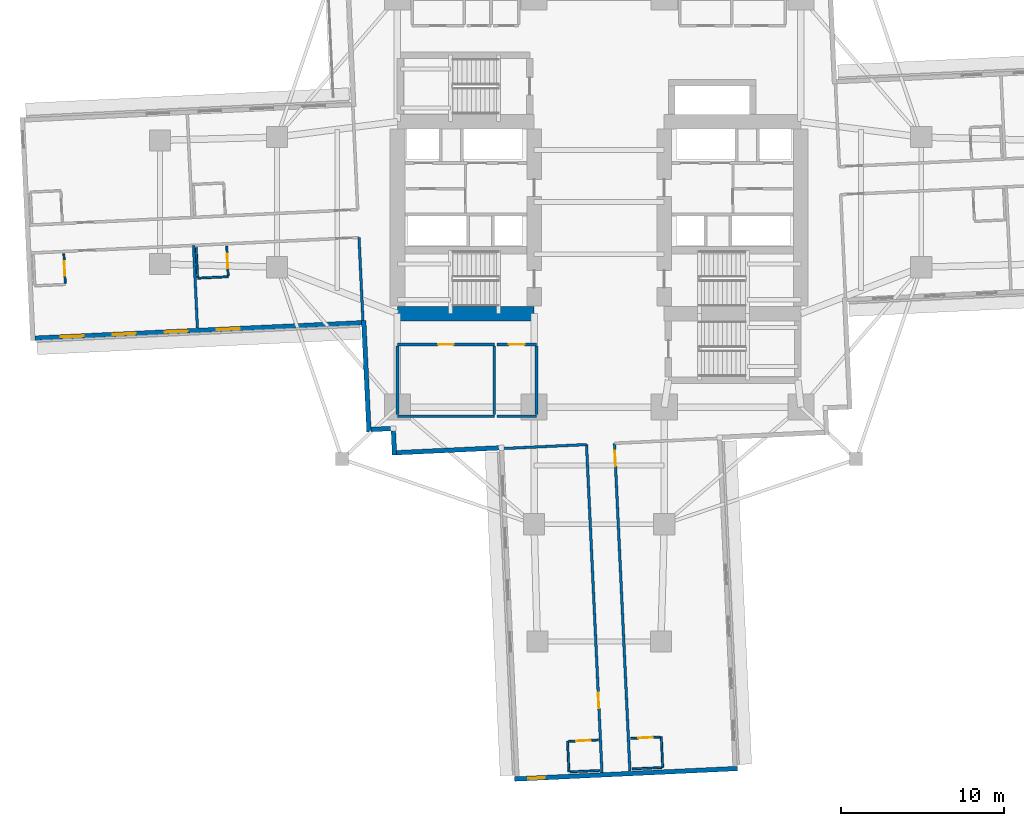
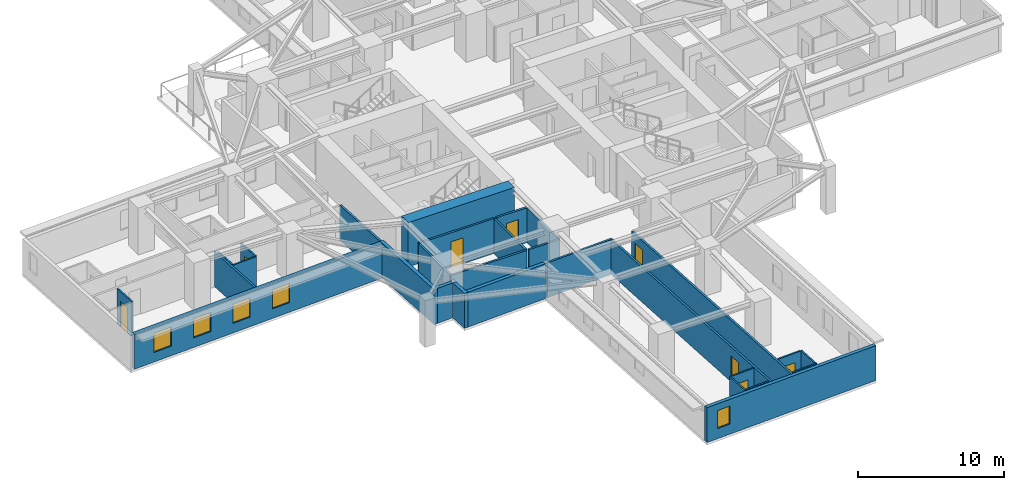
# One storey, part 3 of 14: 29 walls, 8 doors, 5 windows, 13 openings.
"""IFC4 building model written with IfcOpenShell, lengths in metres."""

from ifc_helpers import new_model, si_unit, direction, frame, frame_2d, origin, place, context, subcontext, project, spatial, rectangle, extrude, material, layer, layer_set, type_object, element, fill, save


model = new_model("IFC4")

# Units and contexts
model_context = context("Model", 3, precision=1e-05, world=origin(), true_north=direction((0.0, 1.0)))
body_context = subcontext(model_context, "Body", "Model", "MODEL_VIEW")
ifc_project = project(units=[si_unit("LENGTHUNIT", "METRE"), si_unit("AREAUNIT", "SQUARE_METRE"), si_unit("VOLUMEUNIT", "CUBIC_METRE"), si_unit("PLANEANGLEUNIT", "RADIAN"), si_unit("MASSUNIT", "GRAM", prefix="KILO")], contexts=[model_context])

# Site, building, storey
site_placement = place(None, origin())
site = spatial("IfcSite", under=ifc_project, at=site_placement, CompositionType="ELEMENT")
building_placement = place(site_placement, origin())
building = spatial("IfcBuilding", under=site, at=building_placement, Name="Qingluan Cross Belvedere", CompositionType="ELEMENT")
storey_placement = place(building_placement, frame((0.0, 0.0, 35.39990234375)))
storey = spatial("IfcBuildingStorey", under=building, at=storey_placement, Name="L09", CompositionType="ELEMENT", Elevation=35.39990234375)

# Walls
ifc_material_1 = material(Name="Concrete C70", Category="concrete")
ifc_layer_1 = layer(ifc_material_1, 0.89990234375, Name="CoreShearWall_900")
ifc_layer_set_1 = layer_set([ifc_layer_1], Name="Concrete C70")
wall_type_1 = type_object("IfcWallType", Name="CoreShearWall_900", PredefinedType="SHEAR", material=ifc_layer_set_1)
wall_1_placement = place(storey_placement, frame((-12.39990234375, -6.85009765625, 0.0), z_axis=(0.0, 0.0, 1.0), x_axis=(1.0, 0.0, 0.0)))
element("IfcWall", 1, at=wall_1_placement, inside=storey, type_object=wall_type_1, Name="Split core W shear wall L09-S", PredefinedType="SHEAR", context=body_context, shape_type="SweptSolid", body=[
    extrude(rectangle(XDim=8.39990234375, YDim=0.89990234375, at=frame_2d((4.199951171875, 0.0))), origin(), (0.0, 0.0, 1.0), 3.7001953125),
])
ifc_material_2 = material(Name="Gypsum plasterboard on steel stud acoustic partition", Category="steel")
ifc_layer_2 = layer(ifc_material_2, 0.159912109375, Name="CorridorPartition_160")
ifc_layer_set_2 = layer_set([ifc_layer_2], Name="Gypsum plasterboard on steel stud acoustic partition")
wall_type_2 = type_object("IfcWallType", Name="CorridorPartition_160", PredefinedType="PARTITIONING", material=ifc_layer_set_2)
wall_2_placement = place(storey_placement, frame((-12.39990234375, -13.14990234375, 0.0), z_axis=(0.0, 0.0, 1.0), x_axis=(1.0, 0.0, 0.0)))
element("IfcWall", 2, at=wall_2_placement, inside=storey, type_object=wall_type_2, Name="Partition L09:q_sw1:S", PredefinedType="PARTITIONING", context=body_context, shape_type="SweptSolid", body=[
    extrude(rectangle(XDim=5.949951171875, YDim=0.159912109375, at=frame_2d((2.97509765625, 0.0))), origin(), (0.0, 0.0, 1.0), 2.900146484375),
])

# Wall, opening, door
wall_3_placement = place(storey_placement, frame((-12.39990234375, -8.75, 0.0), z_axis=(0.0, 0.0, 1.0), x_axis=(1.0, 0.0, 0.0)))
wall_3 = element("IfcWall", 3, at=wall_3_placement, inside=storey, type_object=wall_type_2, Name="Partition L09:q_sw1:N", PredefinedType="PARTITIONING", context=body_context, shape_type="SweptSolid", body=[
    extrude(rectangle(XDim=5.949951171875, YDim=0.159912109375, at=frame_2d((2.97509765625, 0.0))), origin(), (0.0, 0.0, 1.0), 2.900146484375),
])
opening_1_placement = place(wall_3_placement, frame((2.4951171875, 0.0, 0.0)))
opening_1 = element("IfcOpeningElement", 4, at=opening_1_placement, cuts=wall_3, Name="Opening GD-10", PredefinedType="OPENING", context=body_context, shape_type="SweptSolid", body=[
    extrude(rectangle(XDim=0.9599609375, YDim=2.14990234375, at=frame_2d((0.47998046875, 1.074951171875))), frame((0.0, 0.08984375, 0.0), z_axis=(0.0, -1.0, 0.0), x_axis=(1.0, 0.0, 0.0)), (0.0, 0.0, 1.0), 0.179931640625),
])
ifc_material_3 = material(Name="Timber oak fire-rated acoustic guestroom door", Category="wood")
door_type_1 = type_object("IfcDoorType", Name="GuestEntryDoor_FD60", OperationType="NOTDEFINED", PredefinedType="DOOR", material=ifc_material_3)
door_1_placement = place(opening_1_placement, origin())
door_1 = element("IfcDoor", 5, at=door_1_placement, inside=storey, type_object=door_type_1, Name="Private boardroom suite L09 door", OperationType="SINGLE_SWING_LEFT", OverallHeight=2.14990234375, OverallWidth=0.9599609375, PredefinedType="DOOR", context=body_context, shape_type="SweptSolid", body=[
    extrude(rectangle(XDim=0.9599609375, YDim=2.14990234375, at=frame_2d((0.47998046875, 1.074951171875))), frame((0.0, 0.02490234375, 0.0), z_axis=(0.0, -1.0, 0.0), x_axis=(1.0, 0.0, 0.0)), (0.0, 0.0, 1.0), 0.050048828125),
])
fill(opening_1, door_1)

# Walls
for number, where, z_axis, x_axis, name in (
    (6, (-12.39990234375, -13.06494140625, 0.0), (0.0, 0.0, 1.0), (0.0, 1.0, 0.0), "Partition L09:q_sw1:W"),
    (7, (-6.449951171875, -13.06494140625, 0.0), (0.0, 0.0, 1.0), (0.0, 1.0, 0.0), "Partition L09:q_sw1:E"),
):
    element("IfcWall", number, at=place(storey_placement, frame(where, z_axis=z_axis, x_axis=x_axis)), inside=storey, type_object=wall_type_2, Name=name, PredefinedType="PARTITIONING", context=body_context, shape_type="SweptSolid", body=[
        extrude(rectangle(XDim=4.22998046875, YDim=0.159912109375, at=frame_2d((2.114990234375, 0.0))), origin(), (0.0, 0.0, 1.0), 2.900146484375),
    ])
wall_4_placement = place(storey_placement, frame((-6.2900390625, -13.14990234375, 0.0), z_axis=(0.0, 0.0, 1.0), x_axis=(1.0, 0.0, 0.0)))
element("IfcWall", 8, at=wall_4_placement, inside=storey, type_object=wall_type_2, Name="Partition L09:q_sw2:S", PredefinedType="PARTITIONING", context=body_context, shape_type="SweptSolid", body=[
    extrude(rectangle(XDim=2.43994140625, YDim=0.159912109375, at=frame_2d((1.219970703125, 0.0))), origin(), (0.0, 0.0, 1.0), 2.900146484375),
])

# Wall, opening, door
wall_5_placement = place(storey_placement, frame((-6.2900390625, -8.75, 0.0), z_axis=(0.0, 0.0, 1.0), x_axis=(1.0, 0.0, 0.0)))
wall_5 = element("IfcWall", 9, at=wall_5_placement, inside=storey, type_object=wall_type_2, Name="Partition L09:q_sw2:N", PredefinedType="PARTITIONING", context=body_context, shape_type="SweptSolid", body=[
    extrude(rectangle(XDim=2.43994140625, YDim=0.159912109375, at=frame_2d((1.219970703125, 0.0))), origin(), (0.0, 0.0, 1.0), 2.900146484375),
])
opening_2_placement = place(wall_5_placement, frame((0.739990234375, 0.0, 0.0)))
opening_2 = element("IfcOpeningElement", 10, at=opening_2_placement, cuts=wall_5, Name="Opening GD-10", PredefinedType="OPENING", context=body_context, shape_type="SweptSolid", body=[
    extrude(rectangle(XDim=0.9599609375, YDim=2.14990234375, at=frame_2d((0.47998046875, 1.074951171875))), frame((0.0, 0.08984375, 0.0), z_axis=(0.0, -1.0, 0.0), x_axis=(1.0, 0.0, 0.0)), (0.0, 0.0, 1.0), 0.179931640625),
])
door_2_placement = place(opening_2_placement, origin())
door_2 = element("IfcDoor", 11, at=door_2_placement, inside=storey, type_object=door_type_1, Name="Southwest reading room L09 door", OperationType="SINGLE_SWING_RIGHT", OverallHeight=2.14990234375, OverallWidth=0.9599609375, PredefinedType="DOOR", context=body_context, shape_type="SweptSolid", body=[
    extrude(rectangle(XDim=0.9599609375, YDim=2.14990234375, at=frame_2d((0.47998046875, 1.074951171875))), frame((0.0, 0.02490234375, 0.0), z_axis=(0.0, -1.0, 0.0), x_axis=(1.0, 0.0, 0.0)), (0.0, 0.0, 1.0), 0.050048828125),
])
fill(opening_2, door_2)

# Walls
wall_6_placement = place(storey_placement, frame((-3.85009765625, -13.06494140625, 0.0), z_axis=(0.0, 0.0, 1.0), x_axis=(0.0, 1.0, 0.0)))
element("IfcWall", 12, at=wall_6_placement, inside=storey, type_object=wall_type_2, Name="Partition L09:q_sw2:E", PredefinedType="PARTITIONING", context=body_context, shape_type="SweptSolid", body=[
    extrude(rectangle(XDim=4.22998046875, YDim=0.159912109375, at=frame_2d((2.114990234375, 0.0))), origin(), (0.0, 0.0, 1.0), 2.900146484375),
])
wall_7_placement = place(storey_placement, frame((-14.763916015625, -2.177978515625, 0.0), z_axis=(0.0, 0.0, 1.0), x_axis=(0.047130059153, -0.998888761336, 0.0)))
element("IfcWall", 13, at=wall_7_placement, inside=storey, type_object=wall_type_2, Name="Partition L09:W:s1", PredefinedType="PARTITIONING", context=body_context, shape_type="SweptSolid", body=[
    extrude(rectangle(XDim=5.092041015625, YDim=0.159912109375, at=frame_2d((2.5458984375, 0.0))), origin(), (0.0, 0.0, 1.0), 2.900146484375),
])
wall_8_placement = place(storey_placement, frame((-24.9375, -2.65771484375, 0.0), z_axis=(0.0, 0.0, 1.0), x_axis=(0.047084475335, -0.998890911052, 0.0)))
element("IfcWall", 14, at=wall_8_placement, inside=storey, type_object=wall_type_2, Name="Partition L09:W:d1_0", PredefinedType="PARTITIONING", context=body_context, shape_type="SweptSolid", body=[
    extrude(rectangle(XDim=5.091796875, YDim=0.159912109375, at=frame_2d((2.5458984375, 0.0))), origin(), (0.0, 0.0, 1.0), 2.900146484375),
])

# Wall, opening, door
wall_9_placement = place(storey_placement, frame((0.939208984375, -14.822265625, 0.0), z_axis=(0.0, 0.0, 1.0), x_axis=(0.047105921672, -0.998889899911, 0.0)))
wall_9 = element("IfcWall", 15, at=wall_9_placement, inside=storey, type_object=wall_type_2, Name="Partition L09:S:c0", PredefinedType="PARTITIONING", context=body_context, shape_type="SweptSolid", body=[
    extrude(rectangle(XDim=20.181884765625, YDim=0.159912109375, at=frame_2d((10.0908203125, 0.0))), origin(), (0.0, 0.0, 1.0), 2.900146484375),
])
opening_3_placement = place(wall_9_placement, frame((0.449951171875, 0.0, 0.0)))
opening_3 = element("IfcOpeningElement", 16, at=opening_3_placement, cuts=wall_9, Name="Opening GD-10", PredefinedType="OPENING", context=body_context, shape_type="SweptSolid", body=[
    extrude(rectangle(XDim=0.9599609375, YDim=2.14990234375, at=frame_2d((0.47998046875, 1.074951171875))), frame((0.0, 0.08984375, 0.0), z_axis=(0.0, -1.0, 0.0), x_axis=(1.0, 0.0, 0.0)), (0.0, 0.0, 1.0), 0.179931640625),
])
door_3_placement = place(opening_3_placement, origin())
door_3 = element("IfcDoor", 17, at=door_3_placement, inside=storey, type_object=door_type_1, Name="Guest entry fire door 0913", OperationType="SINGLE_SWING_LEFT", OverallHeight=2.14990234375, OverallWidth=0.9599609375, PredefinedType="DOOR", context=body_context, shape_type="SweptSolid", body=[
    extrude(rectangle(XDim=0.9599609375, YDim=2.14990234375, at=frame_2d((0.47998046875, 1.074951171875))), frame((0.0, 0.02490234375, 0.0), z_axis=(0.0, -1.0, 0.0), x_axis=(1.0, 0.0, 0.0)), (0.0, 0.0, 1.0), 0.050048828125),
])
fill(opening_3, door_3)

wall_10_placement = place(storey_placement, frame((-0.77880859375, -14.9033203125, 0.0), z_axis=(0.0, 0.0, 1.0), x_axis=(0.047105921672, -0.998889899911, 0.0)))
wall_10 = element("IfcWall", 18, at=wall_10_placement, inside=storey, type_object=wall_type_2, Name="Partition L09:S:c1", PredefinedType="PARTITIONING", context=body_context, shape_type="SweptSolid", body=[
    extrude(rectangle(XDim=20.181884765625, YDim=0.159912109375, at=frame_2d((10.0908203125, 0.0))), origin(), (0.0, 0.0, 1.0), 2.900146484375),
])
opening_4_placement = place(wall_10_placement, frame((15.263916015625, 0.0, 0.0)))
opening_4 = element("IfcOpeningElement", 19, at=opening_4_placement, cuts=wall_10, Name="Opening GD-10", PredefinedType="OPENING", context=body_context, shape_type="SweptSolid", body=[
    extrude(rectangle(XDim=0.9599609375, YDim=2.14990234375, at=frame_2d((0.47998046875, 1.074951171875))), frame((0.0, 0.08984375, 0.0), z_axis=(0.0, -1.0, 0.0), x_axis=(1.0, 0.0, 0.0)), (0.0, 0.0, 1.0), 0.179931640625),
])
door_4_placement = place(opening_4_placement, origin())
door_4 = element("IfcDoor", 20, at=door_4_placement, inside=storey, type_object=door_type_1, Name="Guest entry fire door 0914", OperationType="SINGLE_SWING_LEFT", OverallHeight=2.14990234375, OverallWidth=0.9599609375, PredefinedType="DOOR", context=body_context, shape_type="SweptSolid", body=[
    extrude(rectangle(XDim=0.9599609375, YDim=2.14990234375, at=frame_2d((0.47998046875, 1.074951171875))), frame((0.0, 0.02490234375, 0.0), z_axis=(0.0, -1.0, 0.0), x_axis=(1.0, 0.0, 0.0)), (0.0, 0.0, 1.0), 0.050048828125),
])
fill(opening_4, door_4)

# Wall
wall_11_placement = place(storey_placement, frame((-0.77880859375, -14.9033203125, 0.0), z_axis=(0.0, 0.0, 1.0), x_axis=(-0.998889957338, -0.047104703898, 0.0)))
element("IfcWall", 21, at=wall_11_placement, inside=storey, type_object=wall_type_2, Name="Partition L09:S:s1", PredefinedType="PARTITIONING", context=body_context, shape_type="SweptSolid", body=[
    extrude(rectangle(XDim=5.239990234375, YDim=0.159912109375, at=frame_2d((2.6201171875, 0.0))), origin(), (0.0, 0.0, 1.0), 2.900146484375),
])

# Wall, opening, door
ifc_material_4 = material(Name="Moisture-resistant gypsum board lining")
ifc_layer_3 = layer(ifc_material_4, 0.1201171875, Name="EnsuiteWetPartition_120")
ifc_layer_set_3 = layer_set([ifc_layer_3], Name="Moisture-resistant gypsum board lining")
wall_type_3 = type_object("IfcWallType", Name="EnsuiteWetPartition_120", PredefinedType="PARTITIONING", material=ifc_layer_set_3)
wall_12_placement = place(storey_placement, frame((-22.807373046875, -4.519287109375, 0.0), z_axis=(0.0, 0.0, 1.0), x_axis=(-0.047220968666, 0.998884467853, 0.0)))
wall_12 = element("IfcWall", 22, at=wall_12_placement, inside=storey, type_object=wall_type_3, Name="Partition L09:W:bs1_0", PredefinedType="PARTITIONING", context=body_context, shape_type="SweptSolid", body=[
    extrude(rectangle(XDim=1.81982421875, YDim=0.1201171875, at=frame_2d((0.909912109375, 0.0))), origin(), (0.0, 0.0, 1.0), 2.900146484375),
])
opening_5_placement = place(wall_12_placement, frame((0.469970703125, 0.0, 0.0)))
opening_5 = element("IfcOpeningElement", 23, at=opening_5_placement, cuts=wall_12, Name="Opening BD-09", PredefinedType="OPENING", context=body_context, shape_type="SweptSolid", body=[
    extrude(rectangle(XDim=0.8798828125, YDim=2.10009765625, at=frame_2d((0.43994140625, 1.050048828125))), frame((0.0, 0.070068359375, 0.0), z_axis=(0.0, -1.0, 0.0), x_axis=(1.0, 0.0, 0.0)), (0.0, 0.0, 1.0), 0.14013671875),
])
ifc_material_5 = material(Name="Moisture-sealed timber en-suite door", Category="wood")
door_type_2 = type_object("IfcDoorType", Name="BathroomDoor_880", OperationType="NOTDEFINED", PredefinedType="DOOR", material=ifc_material_5)
door_5_placement = place(opening_5_placement, origin())
door_5 = element("IfcDoor", 24, at=door_5_placement, inside=storey, type_object=door_type_2, Name="Bathroom door 0907", OperationType="SINGLE_SWING_RIGHT", OverallHeight=2.10009765625, OverallWidth=0.8798828125, PredefinedType="DOOR", context=body_context, shape_type="SweptSolid", body=[
    extrude(rectangle(XDim=0.8798828125, YDim=2.10009765625, at=frame_2d((0.43994140625, 1.050048828125))), frame((0.0, 0.02490234375, 0.0), z_axis=(0.0, -1.0, 0.0), x_axis=(1.0, 0.0, 0.0)), (0.0, 0.0, 1.0), 0.050048828125),
])
fill(opening_5, door_5)

# Walls
wall_13_placement = place(storey_placement, frame((-24.685302734375, -4.60791015625, 0.0), z_axis=(0.0, 0.0, 1.0), x_axis=(-0.047087116047, 0.998890786574, 0.0)))
element("IfcWall", 25, at=wall_13_placement, inside=storey, type_object=wall_type_3, Name="Partition L09:W:bw1_0", PredefinedType="PARTITIONING", context=body_context, shape_type="SweptSolid", body=[
    extrude(rectangle(XDim=1.81982421875, YDim=0.1201171875, at=frame_2d((0.909912109375, 0.0))), origin(), (0.0, 0.0, 1.0), 2.900146484375),
])
wall_14_placement = place(storey_placement, frame((-22.804443359375, -4.584228515625, 0.0), z_axis=(0.0, 0.0, 1.0), x_axis=(-0.998888319371, -0.047139425368, 0.0)))
element("IfcWall", 26, at=wall_14_placement, inside=storey, type_object=wall_type_3, Name="Partition L09:W:bc1_0", PredefinedType="PARTITIONING", context=body_context, shape_type="SweptSolid", body=[
    extrude(rectangle(XDim=1.880126953125, YDim=0.1201171875, at=frame_2d((0.93994140625, 0.0))), origin(), (0.0, 0.0, 1.0), 2.900146484375),
])

# Wall, opening, door
wall_15_placement = place(storey_placement, frame((-32.8212890625, -4.99169921875, 0.0), z_axis=(0.0, 0.0, 1.0), x_axis=(-0.047080807099, 0.998891083954, 0.0)))
wall_15 = element("IfcWall", 27, at=wall_15_placement, inside=storey, type_object=wall_type_3, Name="Partition L09:W:bs1_1", PredefinedType="PARTITIONING", context=body_context, shape_type="SweptSolid", body=[
    extrude(rectangle(XDim=1.820068359375, YDim=0.1201171875, at=frame_2d((0.91015625, 0.0))), origin(), (0.0, 0.0, 1.0), 2.900146484375),
])
opening_6_placement = place(wall_15_placement, frame((0.469970703125, 0.0, 0.0)))
opening_6 = element("IfcOpeningElement", 28, at=opening_6_placement, cuts=wall_15, Name="Opening BD-09", PredefinedType="OPENING", context=body_context, shape_type="SweptSolid", body=[
    extrude(rectangle(XDim=0.8798828125, YDim=2.10009765625, at=frame_2d((0.43994140625, 1.050048828125))), frame((0.0, 0.070068359375, 0.0), z_axis=(0.0, -1.0, 0.0), x_axis=(1.0, 0.0, 0.0)), (0.0, 0.0, 1.0), 0.14013671875),
])
door_6_placement = place(opening_6_placement, origin())
door_6 = element("IfcDoor", 29, at=door_6_placement, inside=storey, type_object=door_type_2, Name="Bathroom door 0908", OperationType="SINGLE_SWING_RIGHT", OverallHeight=2.10009765625, OverallWidth=0.8798828125, PredefinedType="DOOR", context=body_context, shape_type="SweptSolid", body=[
    extrude(rectangle(XDim=0.8798828125, YDim=2.10009765625, at=frame_2d((0.43994140625, 1.050048828125))), frame((0.0, 0.02490234375, 0.0), z_axis=(0.0, -1.0, 0.0), x_axis=(1.0, 0.0, 0.0)), (0.0, 0.0, 1.0), 0.050048828125),
])
fill(opening_6, door_6)

wall_16_placement = place(storey_placement, frame((1.93505859375, -32.96533203125, 0.0), z_axis=(0.0, 0.0, 1.0), x_axis=(0.998890786574, 0.047087116047, 0.0)))
wall_16 = element("IfcWall", 30, at=wall_16_placement, inside=storey, type_object=wall_type_3, Name="Partition L09:S:bs0_0", PredefinedType="PARTITIONING", context=body_context, shape_type="SweptSolid", body=[
    extrude(rectangle(XDim=1.81982421875, YDim=0.1201171875, at=frame_2d((0.909912109375, 0.0))), origin(), (0.0, 0.0, 1.0), 2.900146484375),
])
opening_7_placement = place(wall_16_placement, frame((0.469970703125, 0.0, 0.0)))
opening_7 = element("IfcOpeningElement", 31, at=opening_7_placement, cuts=wall_16, Name="Opening BD-09", PredefinedType="OPENING", context=body_context, shape_type="SweptSolid", body=[
    extrude(rectangle(XDim=0.8798828125, YDim=2.10009765625, at=frame_2d((0.43994140625, 1.050048828125))), frame((0.0, 0.070068359375, 0.0), z_axis=(0.0, -1.0, 0.0), x_axis=(1.0, 0.0, 0.0)), (0.0, 0.0, 1.0), 0.14013671875),
])
door_7_placement = place(opening_7_placement, origin())
door_7 = element("IfcDoor", 32, at=door_7_placement, inside=storey, type_object=door_type_2, Name="Bathroom door 0913", OperationType="SINGLE_SWING_RIGHT", OverallHeight=2.10009765625, OverallWidth=0.8798828125, PredefinedType="DOOR", context=body_context, shape_type="SweptSolid", body=[
    extrude(rectangle(XDim=0.8798828125, YDim=2.10009765625, at=frame_2d((0.43994140625, 1.050048828125))), frame((0.0, 0.02490234375, 0.0), z_axis=(0.0, -1.0, 0.0), x_axis=(1.0, 0.0, 0.0)), (0.0, 0.0, 1.0), 0.050048828125),
])
fill(opening_7, door_7)

# Walls
wall_17_placement = place(storey_placement, frame((2.023681640625, -34.843505859375, 0.0), z_axis=(0.0, 0.0, 1.0), x_axis=(0.998884467853, 0.047220968666, 0.0)))
element("IfcWall", 33, at=wall_17_placement, inside=storey, type_object=wall_type_3, Name="Partition L09:S:bw0_0", PredefinedType="PARTITIONING", context=body_context, shape_type="SweptSolid", body=[
    extrude(rectangle(XDim=1.81982421875, YDim=0.1201171875, at=frame_2d((0.909912109375, 0.0))), origin(), (0.0, 0.0, 1.0), 2.900146484375),
])
wall_18_placement = place(storey_placement, frame((3.81787109375, -32.876708984375, 0.0), z_axis=(0.0, 0.0, 1.0), x_axis=(0.047139425368, -0.998888319371, 0.0)))
element("IfcWall", 34, at=wall_18_placement, inside=storey, type_object=wall_type_3, Name="Partition L09:S:bn0_0", PredefinedType="PARTITIONING", context=body_context, shape_type="SweptSolid", body=[
    extrude(rectangle(XDim=1.880126953125, YDim=0.1201171875, at=frame_2d((0.93994140625, 0.0))), origin(), (0.0, 0.0, 1.0), 2.900146484375),
])

# Wall, opening, door
wall_19_placement = place(storey_placement, frame((-1.880615234375, -33.1455078125, 0.0), z_axis=(0.0, 0.0, 1.0), x_axis=(0.998890786574, 0.047087116047, 0.0)))
wall_19 = element("IfcWall", 35, at=wall_19_placement, inside=storey, type_object=wall_type_3, Name="Partition L09:S:bs1_0", PredefinedType="PARTITIONING", context=body_context, shape_type="SweptSolid", body=[
    extrude(rectangle(XDim=1.81982421875, YDim=0.1201171875, at=frame_2d((0.909912109375, 0.0))), origin(), (0.0, 0.0, 1.0), 2.900146484375),
])
opening_8_placement = place(wall_19_placement, frame((0.469970703125, 0.0, 0.0)))
opening_8 = element("IfcOpeningElement", 36, at=opening_8_placement, cuts=wall_19, Name="Opening BD-09", PredefinedType="OPENING", context=body_context, shape_type="SweptSolid", body=[
    extrude(rectangle(XDim=0.8798828125, YDim=2.10009765625, at=frame_2d((0.43994140625, 1.050048828125))), frame((0.0, 0.070068359375, 0.0), z_axis=(0.0, -1.0, 0.0), x_axis=(1.0, 0.0, 0.0)), (0.0, 0.0, 1.0), 0.14013671875),
])
door_8_placement = place(opening_8_placement, origin())
door_8 = element("IfcDoor", 37, at=door_8_placement, inside=storey, type_object=door_type_2, Name="Bathroom door 0914", OperationType="SINGLE_SWING_RIGHT", OverallHeight=2.10009765625, OverallWidth=0.8798828125, PredefinedType="DOOR", context=body_context, shape_type="SweptSolid", body=[
    extrude(rectangle(XDim=0.8798828125, YDim=2.10009765625, at=frame_2d((0.43994140625, 1.050048828125))), frame((0.0, 0.02490234375, 0.0), z_axis=(0.0, -1.0, 0.0), x_axis=(1.0, 0.0, 0.0)), (0.0, 0.0, 1.0), 0.050048828125),
])
fill(opening_8, door_8)

# Walls
wall_20_placement = place(storey_placement, frame((-1.792236328125, -35.023193359375, 0.0), z_axis=(0.0, 0.0, 1.0), x_axis=(0.998891083954, 0.047080807099, 0.0)))
element("IfcWall", 38, at=wall_20_placement, inside=storey, type_object=wall_type_3, Name="Partition L09:S:bw1_0", PredefinedType="PARTITIONING", context=body_context, shape_type="SweptSolid", body=[
    extrude(rectangle(XDim=1.820068359375, YDim=0.1201171875, at=frame_2d((0.91015625, 0.0))), origin(), (0.0, 0.0, 1.0), 2.900146484375),
])
wall_21_placement = place(storey_placement, frame((-1.94580078125, -33.1484375, 0.0), z_axis=(0.0, 0.0, 1.0), x_axis=(0.047139425368, -0.998888319371, 0.0)))
element("IfcWall", 39, at=wall_21_placement, inside=storey, type_object=wall_type_3, Name="Partition L09:S:bc1_0", PredefinedType="PARTITIONING", context=body_context, shape_type="SweptSolid", body=[
    extrude(rectangle(XDim=1.880126953125, YDim=0.1201171875, at=frame_2d((0.93994140625, 0.0))), origin(), (0.0, 0.0, 1.0), 2.900146484375),
])

# Wall, openings, windows
ifc_material_6 = material(Name="Precast concrete C45", Category="concrete")
ifc_layer_4 = layer(ifc_material_6, 0.280029296875, Name="PrecastFacadeWall_280")
ifc_layer_set_4 = layer_set([ifc_layer_4], Name="Precast concrete C45")
wall_type_4 = type_object("IfcWallType", Name="PrecastFacadeWall_280", PredefinedType="STANDARD", material=ifc_layer_set_4)
wall_22_placement = place(storey_placement, frame((-34.6845703125, -8.363037109375, 0.0), z_axis=(0.0, 0.0, 1.0), x_axis=(0.998890015344, 0.047103473814, 0.0)))
wall_22 = element("IfcWall", 40, at=wall_22_placement, inside=storey, type_object=wall_type_4, Name="Facade wall L09-WB", PredefinedType="STANDARD", context=body_context, shape_type="SweptSolid", body=[
    extrude(rectangle(XDim=20.099853515625, YDim=0.280029296875, at=frame_2d((10.0498046875, 0.0))), origin(), (0.0, 0.0, 1.0), 2.91015625),
])
opening_9_placement = place(wall_22_placement, frame((1.60009765625, 0.0, 0.800048828125)))
opening_9 = element("IfcOpeningElement", 41, at=opening_9_placement, cuts=wall_22, Name="Opening W-01", PredefinedType="OPENING", context=body_context, shape_type="SweptSolid", body=[
    extrude(rectangle(XDim=1.39990234375, YDim=1.60009765625, at=frame_2d((0.699951171875, 0.800048828125))), frame((0.0, 0.14990234375, 0.0), z_axis=(0.0, -1.0, 0.0), x_axis=(1.0, 0.0, 0.0)), (0.0, 0.0, 1.0), 0.300048828125),
])
opening_10_placement = place(wall_22_placement, frame((4.800048828125, 0.0, 0.800048828125)))
opening_10 = element("IfcOpeningElement", 42, at=opening_10_placement, cuts=wall_22, Name="Opening W-01", PredefinedType="OPENING", context=body_context, shape_type="SweptSolid", body=[
    extrude(rectangle(XDim=1.39990234375, YDim=1.60009765625, at=frame_2d((0.699951171875, 0.800048828125))), frame((0.0, 0.14990234375, 0.0), z_axis=(0.0, -1.0, 0.0), x_axis=(1.0, 0.0, 0.0)), (0.0, 0.0, 1.0), 0.300048828125),
])
opening_11_placement = place(wall_22_placement, frame((8.0, 0.0, 0.800048828125)))
opening_11 = element("IfcOpeningElement", 43, at=opening_11_placement, cuts=wall_22, Name="Opening W-01", PredefinedType="OPENING", context=body_context, shape_type="SweptSolid", body=[
    extrude(rectangle(XDim=1.39990234375, YDim=1.60009765625, at=frame_2d((0.699951171875, 0.800048828125))), frame((0.0, 0.14990234375, 0.0), z_axis=(0.0, -1.0, 0.0), x_axis=(1.0, 0.0, 0.0)), (0.0, 0.0, 1.0), 0.300048828125),
])
opening_12_placement = place(wall_22_placement, frame((11.199951171875, 0.0, 0.800048828125)))
opening_12 = element("IfcOpeningElement", 44, at=opening_12_placement, cuts=wall_22, Name="Opening W-01", PredefinedType="OPENING", context=body_context, shape_type="SweptSolid", body=[
    extrude(rectangle(XDim=1.39990234375, YDim=1.60009765625, at=frame_2d((0.699951171875, 0.800048828125))), frame((0.0, 0.14990234375, 0.0), z_axis=(0.0, -1.0, 0.0), x_axis=(1.0, 0.0, 0.0)), (0.0, 0.0, 1.0), 0.300048828125),
])
ifc_material_7 = material(Name="Thermally broken triple Low-E glass in aluminium frame", Category="aluminium")
window_type_1 = type_object("IfcWindowType", Name="TriRibbonWin_1400x1600", PartitioningType="SINGLE_PANEL", PredefinedType="WINDOW", material=ifc_material_7)
window_1_placement = place(opening_9_placement, origin())
window_1 = element("IfcWindow", 45, at=window_1_placement, inside=storey, type_object=window_type_1, Name="Ribbon window L09-WB-1", OverallHeight=1.60009765625, OverallWidth=1.39990234375, PartitioningType="SINGLE_PANEL", PredefinedType="WINDOW", context=body_context, shape_type="SweptSolid", body=[
    extrude(rectangle(XDim=1.39990234375, YDim=1.60009765625, at=frame_2d((0.699951171875, 0.800048828125))), frame((0.0, 0.030029296875, 0.0), z_axis=(0.0, -1.0, 0.0), x_axis=(1.0, 0.0, 0.0)), (0.0, 0.0, 1.0), 0.06005859375),
])
fill(opening_9, window_1)
window_2_placement = place(opening_10_placement, origin())
window_2 = element("IfcWindow", 46, at=window_2_placement, inside=storey, type_object=window_type_1, Name="Ribbon window L09-WB-2", OverallHeight=1.60009765625, OverallWidth=1.39990234375, PartitioningType="SINGLE_PANEL", PredefinedType="WINDOW", context=body_context, shape_type="SweptSolid", body=[
    extrude(rectangle(XDim=1.39990234375, YDim=1.60009765625, at=frame_2d((0.699951171875, 0.800048828125))), frame((0.0, 0.030029296875, 0.0), z_axis=(0.0, -1.0, 0.0), x_axis=(1.0, 0.0, 0.0)), (0.0, 0.0, 1.0), 0.06005859375),
])
fill(opening_10, window_2)
window_3_placement = place(opening_11_placement, origin())
window_3 = element("IfcWindow", 47, at=window_3_placement, inside=storey, type_object=window_type_1, Name="Ribbon window L09-WB-3", OverallHeight=1.60009765625, OverallWidth=1.39990234375, PartitioningType="SINGLE_PANEL", PredefinedType="WINDOW", context=body_context, shape_type="SweptSolid", body=[
    extrude(rectangle(XDim=1.39990234375, YDim=1.60009765625, at=frame_2d((0.699951171875, 0.800048828125))), frame((0.0, 0.030029296875, 0.0), z_axis=(0.0, -1.0, 0.0), x_axis=(1.0, 0.0, 0.0)), (0.0, 0.0, 1.0), 0.06005859375),
])
fill(opening_11, window_3)
window_4_placement = place(opening_12_placement, origin())
window_4 = element("IfcWindow", 48, at=window_4_placement, inside=storey, type_object=window_type_1, Name="Ribbon window L09-WB-4", OverallHeight=1.60009765625, OverallWidth=1.39990234375, PartitioningType="SINGLE_PANEL", PredefinedType="WINDOW", context=body_context, shape_type="SweptSolid", body=[
    extrude(rectangle(XDim=1.39990234375, YDim=1.60009765625, at=frame_2d((0.699951171875, 0.800048828125))), frame((0.0, 0.030029296875, 0.0), z_axis=(0.0, -1.0, 0.0), x_axis=(1.0, 0.0, 0.0)), (0.0, 0.0, 1.0), 0.06005859375),
])
fill(opening_12, window_4)

# Wall, opening, window
wall_23_placement = place(storey_placement, frame((-5.1953125, -35.464111328125, 0.0), z_axis=(0.0, 0.0, 1.0), x_axis=(0.998890092147, 0.047101845086, 0.0)))
wall_23 = element("IfcWall", 49, at=wall_23_placement, inside=storey, type_object=wall_type_4, Name="Arm tip precast facade wall L09-S", PredefinedType="STANDARD", context=body_context, shape_type="SweptSolid", body=[
    extrude(rectangle(XDim=13.719970703125, YDim=0.280029296875, at=frame_2d((6.85986328125, 0.0))), origin(), (0.0, 0.0, 1.0), 2.91015625),
])
opening_13_placement = place(wall_23_placement, frame((0.85009765625, 0.0, 0.85009765625)))
opening_13 = element("IfcOpeningElement", 50, at=opening_13_placement, cuts=wall_23, Name="Opening W-03", PredefinedType="OPENING", context=body_context, shape_type="SweptSolid", body=[
    extrude(rectangle(XDim=1.0, YDim=1.5, at=frame_2d((0.5, 0.75))), frame((0.0, 0.14990234375, 0.0), z_axis=(0.0, -1.0, 0.0), x_axis=(1.0, 0.0, 0.0)), (0.0, 0.0, 1.0), 0.300048828125),
])
ifc_material_8 = material(Name="Thermally broken triple Low-E glass in aluminium frame", Category="aluminium")
window_type_2 = type_object("IfcWindowType", Name="TriApexWin_1000x1500", PartitioningType="SINGLE_PANEL", PredefinedType="WINDOW", material=ifc_material_8)
window_5_placement = place(opening_13_placement, origin())
window_5 = element("IfcWindow", 51, at=window_5_placement, inside=storey, type_object=window_type_2, Name="Arm tip triangular window L09-S", OverallHeight=1.5, OverallWidth=1.0, PartitioningType="SINGLE_PANEL", PredefinedType="WINDOW", context=body_context, shape_type="SweptSolid", body=[
    extrude(rectangle(XDim=1.0, YDim=1.5, at=frame_2d((0.5, 0.75))), frame((0.0, 0.030029296875, 0.0), z_axis=(0.0, -1.0, 0.0), x_axis=(1.0, 0.0, 0.0)), (0.0, 0.0, 1.0), 0.06005859375),
])
fill(opening_13, window_5)

# Walls
wall_24_placement = place(storey_placement, frame((-14.4736328125, -7.27001953125, 0.0), z_axis=(0.0, 0.0, 1.0), x_axis=(0.04712043756, -0.998889215261, 0.0)))
element("IfcWall", 52, at=wall_24_placement, inside=storey, type_object=wall_type_4, Name="Corner wall L09-SW1", PredefinedType="STANDARD", context=body_context, shape_type="SweptSolid", body=[
    extrude(rectangle(XDim=6.85986328125, YDim=0.280029296875, at=frame_2d((3.429931640625, 0.0))), origin(), (0.0, 0.0, 1.0), 2.91015625),
])
wall_25_placement = place(storey_placement, frame((-14.01708984375, -13.975830078125, 0.0), z_axis=(0.0, 0.0, 1.0), x_axis=(0.998883930236, 0.047232339719, 0.0)))
element("IfcWall", 53, at=wall_25_placement, inside=storey, type_object=wall_type_4, Name="Corner wall L09-SW2", PredefinedType="STANDARD", context=body_context, shape_type="SweptSolid", body=[
    extrude(rectangle(XDim=1.219970703125, YDim=0.280029296875, at=frame_2d((0.60986328125, 0.0))), origin(), (0.0, 0.0, 1.0), 2.91015625),
])
wall_26_placement = place(storey_placement, frame((-12.652099609375, -14.051513671875, 0.0), z_axis=(0.0, 0.0, 1.0), x_axis=(0.047039284441, -0.99889304018, 0.0)))
element("IfcWall", 54, at=wall_26_placement, inside=storey, type_object=wall_type_4, Name="Corner wall L09-SW3", PredefinedType="STANDARD", context=body_context, shape_type="SweptSolid", body=[
    extrude(rectangle(XDim=1.5, YDim=0.280029296875, at=frame_2d((0.75, 0.0))), origin(), (0.0, 0.0, 1.0), 2.91015625),
])
wall_27_placement = place(storey_placement, frame((-12.4482421875, -15.403564453125, 0.0), z_axis=(0.0, 0.0, 1.0), x_axis=(0.998889082162, 0.047123258997, 0.0)))
element("IfcWall", 55, at=wall_27_placement, inside=storey, type_object=wall_type_4, Name="Corner wall L09-SW4", PredefinedType="STANDARD", context=body_context, shape_type="SweptSolid", body=[
    extrude(rectangle(XDim=6.300048828125, YDim=0.280029296875, at=frame_2d((3.14990234375, 0.0))), origin(), (0.0, 0.0, 1.0), 2.91015625),
])

save(model, "model.ifc")
